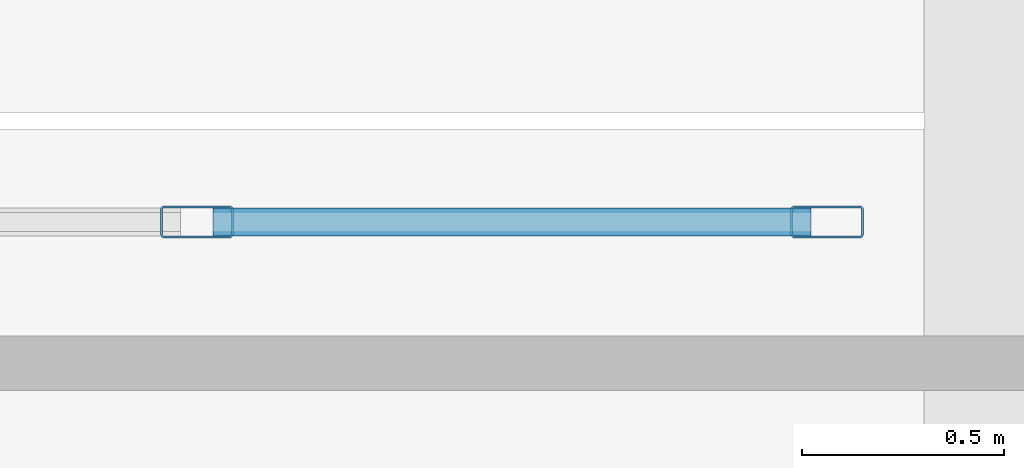
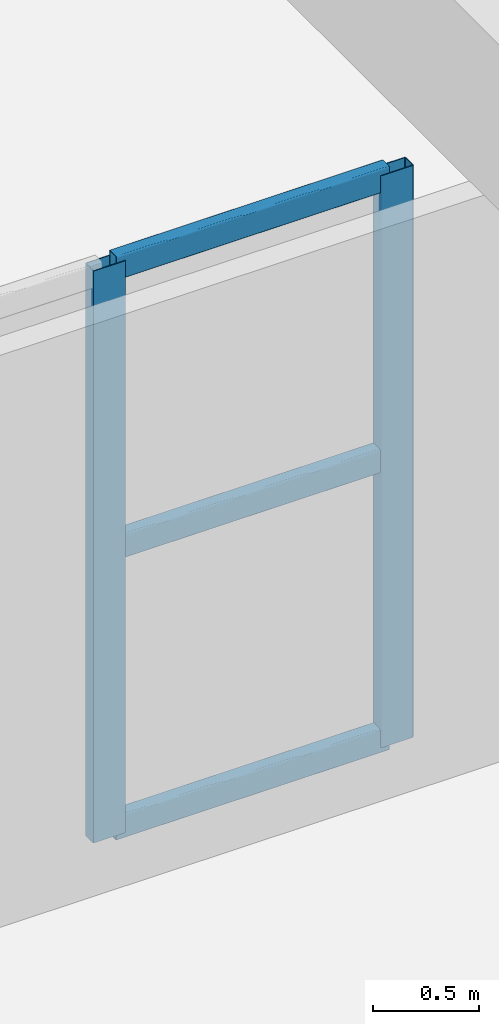
# One storey, part 45 of 91: 5 members, 1 element without a shape of its own.
"""IFC4 building model written with IfcOpenShell, lengths in metres."""

from ifc_helpers import new_model, si_unit, direction, frame, origin, origin_2d, place, context, subcontext, project, spatial, hollow_rectangle, extrude, material, layer, layer_set, material_profile, profile_set, type_object, element, aggregate, save


model = new_model("IFC4")

# Units and contexts
model_context = context("Model", 3, precision=1e-05, world=origin(), true_north=direction((0.0, 1.0)))
body_context = subcontext(model_context, "Body", "Model", "MODEL_VIEW")
ifc_project = project(units=[si_unit("LENGTHUNIT", "METRE"), si_unit("AREAUNIT", "SQUARE_METRE"), si_unit("VOLUMEUNIT", "CUBIC_METRE"), si_unit("PLANEANGLEUNIT", "RADIAN"), si_unit("MASSUNIT", "GRAM", prefix="KILO")], contexts=[model_context])

# Site, building, storey
site_placement = place(None, origin())
site = spatial("IfcSite", under=ifc_project, at=site_placement, CompositionType="ELEMENT")
building_placement = place(site_placement, origin())
building = spatial("IfcBuilding", under=site, at=building_placement, Name="Tarnavel Promenade Courthouse", CompositionType="ELEMENT")
storey_placement = place(building_placement, frame((0.0, 0.0, 9.89990234375)))
storey = spatial("IfcBuildingStorey", under=building, at=storey_placement, Name="L03", CompositionType="ELEMENT", Elevation=9.89990234375)

# Curtain wall, members
ifc_material_1 = material(Name="Thermally Broken Anodised Aluminium Curtain Wall System", Category="aluminium")
ifc_layer = layer(ifc_material_1, 0.2099609375)
ifc_layer_set = layer_set([ifc_layer], Name="Thermally Broken Anodised Aluminium Curtain Wall System")
curtain_wall_type = type_object("IfcCurtainWallType", Name="Thermally Broken Aluminium Triple-Glazed Curtain Wall CW-WG-N", PredefinedType="NOTDEFINED", material=ifc_layer_set)
curtain_wall_placement = place(storey_placement, origin())
curtain_wall = element("IfcCurtainWall", 1, at=curtain_wall_placement, inside=storey, type_object=curtain_wall_type, Name="L03 Winter-Garden North Curtain Wall 119", PredefinedType="NOTDEFINED")
ifc_material_2 = material(Name="Thermally Broken Anodised Aluminium Frame", Category="aluminium")
ifc_material_profile_1 = material_profile(ifc_material_2, hollow_rectangle(XDim=0.080078125, YDim=0.179931640625, WallThickness=0.0048828125, InnerFilletRadius=0.0048828125, OuterFilletRadius=0.010009765625, at=origin_2d()), Name="CWM 180x80x5")
ifc_profile_set_1 = profile_set([ifc_material_profile_1], Name="Thermally Broken Anodised Aluminium Frame")
member_type_1 = type_object("IfcMemberType", Name="Thermally Broken Anodised Aluminium CWM-155 (CWM 180x80x5)", PredefinedType="MULLION", material=ifc_profile_set_1)
member_1_placement = place(storey_placement, frame((112.5, 78.949951171875, 0.0), z_axis=(0.0, 0.0, 1.0), x_axis=(0.0, 1.0, 0.0)))
member_1 = element("IfcMember", 2, at=member_1_placement, type_object=member_type_1, Name="CW-03 mullion 2", PredefinedType="MULLION", context=body_context, shape_type="SweptSolid", body=[
    extrude(hollow_rectangle(XDim=0.080078125, YDim=0.179931640625, WallThickness=0.0048828125, InnerFilletRadius=0.0048828125, OuterFilletRadius=0.010009765625, at=origin_2d()), origin(), (0.0, 0.0, 1.0), 3.280029296875),
])
member_2_placement = place(storey_placement, frame((114.06005859375, 78.949951171875, 0.0), z_axis=(0.0, 0.0, 1.0), x_axis=(0.0, 1.0, 0.0)))
member_2 = element("IfcMember", 3, at=member_2_placement, type_object=member_type_1, Name="CW-03 mullion 3", PredefinedType="MULLION", context=body_context, shape_type="SweptSolid", body=[
    extrude(hollow_rectangle(XDim=0.080078125, YDim=0.179931640625, WallThickness=0.0048828125, InnerFilletRadius=0.0048828125, OuterFilletRadius=0.010009765625, at=origin_2d()), origin(), (0.0, 0.0, 1.0), 3.280029296875),
])
ifc_material_profile_2 = material_profile(ifc_material_2, hollow_rectangle(XDim=0.070068359375, YDim=0.139892578125, WallThickness=0.0048828125, InnerFilletRadius=0.0048828125, OuterFilletRadius=0.010009765625, at=origin_2d()), Name="CWT 140x70x5")
ifc_profile_set_2 = profile_set([ifc_material_profile_2], Name="Thermally Broken Anodised Aluminium Frame")
member_type_2 = type_object("IfcMemberType", Name="Thermally Broken Anodised Aluminium CWT-125 (CWT 140x70x5)", PredefinedType="USERDEFINED", material=ifc_profile_set_2)
member_3_placement = place(storey_placement, frame((112.5400390625, 78.949951171875, 0.03515625), z_axis=(1.0, 0.0, 0.0), x_axis=(0.0, 1.0, 0.0)))
member_3 = element("IfcMember", 4, at=member_3_placement, type_object=member_type_2, Name="CW-03 transom 2.1", ObjectType="TRANSOM", PredefinedType="USERDEFINED", context=body_context, shape_type="SweptSolid", body=[
    extrude(hollow_rectangle(XDim=0.070068359375, YDim=0.139892578125, WallThickness=0.0048828125, InnerFilletRadius=0.0048828125, OuterFilletRadius=0.010009765625, at=origin_2d()), origin(), (0.0, 0.0, 1.0), 1.47998046875),
])
member_4_placement = place(storey_placement, frame((112.5400390625, 78.949951171875, 1.64013671875), z_axis=(1.0, 0.0, 0.0), x_axis=(0.0, 1.0, 0.0)))
member_4 = element("IfcMember", 5, at=member_4_placement, type_object=member_type_2, Name="CW-03 transom 2.2", ObjectType="TRANSOM", PredefinedType="USERDEFINED", context=body_context, shape_type="SweptSolid", body=[
    extrude(hollow_rectangle(XDim=0.070068359375, YDim=0.139892578125, WallThickness=0.0048828125, InnerFilletRadius=0.0048828125, OuterFilletRadius=0.010009765625, at=origin_2d()), origin(), (0.0, 0.0, 1.0), 1.47998046875),
])
member_5_placement = place(storey_placement, frame((112.5400390625, 78.949951171875, 3.2451171875), z_axis=(1.0, 0.0, 0.0), x_axis=(0.0, 1.0, 0.0)))
member_5 = element("IfcMember", 6, at=member_5_placement, type_object=member_type_2, Name="CW-03 transom 2.3", ObjectType="TRANSOM", PredefinedType="USERDEFINED", context=body_context, shape_type="SweptSolid", body=[
    extrude(hollow_rectangle(XDim=0.070068359375, YDim=0.139892578125, WallThickness=0.0048828125, InnerFilletRadius=0.0048828125, OuterFilletRadius=0.010009765625, at=origin_2d()), origin(), (0.0, 0.0, 1.0), 1.47998046875),
])
aggregate(curtain_wall, [member_1, member_2, member_3, member_4, member_5])

save(model, "model.ifc")
